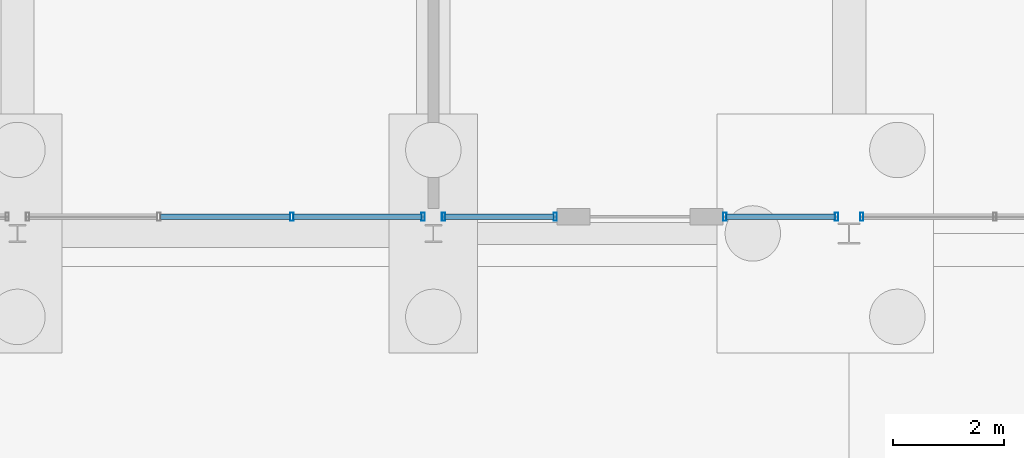
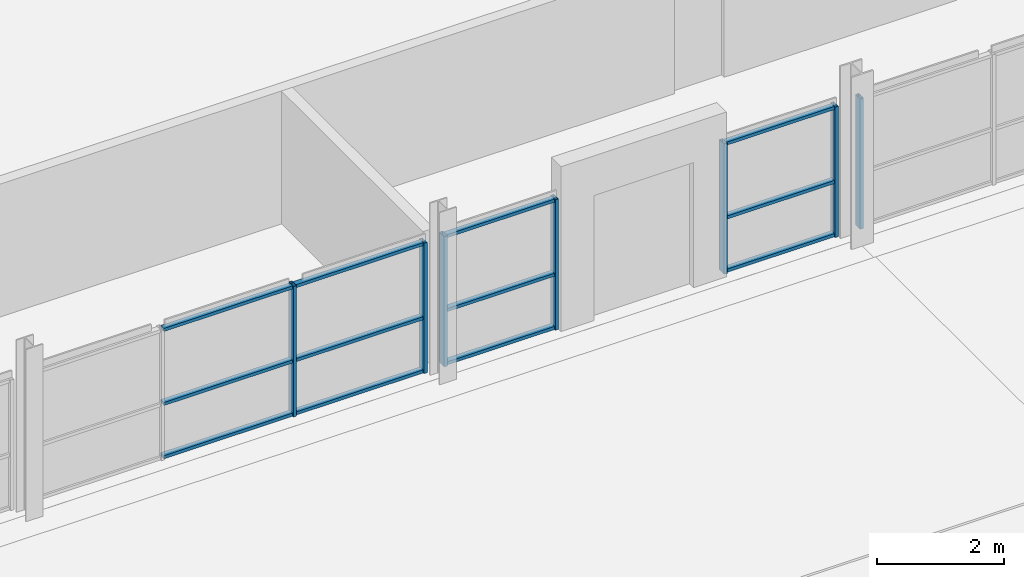
# One storey, part 53 of 130: 19 members, 4 elements without a shape of their own.
"""IFC4 building model written with IfcOpenShell, lengths in metres."""

from ifc_helpers import new_model, si_unit, direction, frame, origin, origin_2d, place, context, subcontext, project, spatial, hollow_rectangle, extrude, material, material_profile, profile_set, type_object, element, aggregate, save


model = new_model("IFC4")

# Units and contexts
model_context = context("Model", 3, precision=1e-05, world=origin(), true_north=direction((0.0, 1.0)))
body_context = subcontext(model_context, "Body", "Model", "MODEL_VIEW")
ifc_project = project(units=[si_unit("LENGTHUNIT", "METRE"), si_unit("AREAUNIT", "SQUARE_METRE"), si_unit("VOLUMEUNIT", "CUBIC_METRE"), si_unit("PLANEANGLEUNIT", "RADIAN"), si_unit("MASSUNIT", "GRAM", prefix="KILO")], contexts=[model_context])

# Site, building, storey
site_placement = place(None, origin())
site = spatial("IfcSite", under=ifc_project, at=site_placement, CompositionType="ELEMENT")
building_placement = place(site_placement, origin())
building = spatial("IfcBuilding", under=site, at=building_placement, Name="Parallax Yard Mobility Hub", CompositionType="ELEMENT")
storey_placement = place(building_placement, origin())
storey = spatial("IfcBuildingStorey", under=building, at=storey_placement, Name="L00", CompositionType="ELEMENT", Elevation=0.0)

# Curtain wall, members
ifc_material_1 = material(Name="Aluminium and glass curtain wall", Category="aluminium")
curtain_wall_type = type_object("IfcCurtainWallType", Name="Curtain wall, aluminium stick system", PredefinedType="NOTDEFINED", material=ifc_material_1)
curtain_wall_1_placement = place(storey_placement, origin())
curtain_wall_1 = element("IfcCurtainWall", 1, at=curtain_wall_1_placement, inside=storey, type_object=curtain_wall_type, Name="Curtain wall CW14 level L00 bay 10", PredefinedType="NOTDEFINED")
ifc_material_2 = material(Name="Aluminium 6063-T6 anodised", Category="aluminium")
ifc_material_profile_1 = material_profile(ifc_material_2, hollow_rectangle(XDim=0.14990234375, YDim=0.06005859375, WallThickness=0.00390625, at=origin_2d()), Name="RHS 60x150x4")
ifc_profile_set_1 = profile_set([ifc_material_profile_1], Name="Aluminium 6063-T6 anodised")
member_type_1 = type_object("IfcMemberType", Name="Curtain wall mullion RHS 60x150x4", PredefinedType="MULLION", material=ifc_profile_set_1)
member_1_placement = place(storey_placement, frame((109.94873046875, 112.800048828125, 0.0), z_axis=(0.0, 0.0, 1.0), x_axis=(0.0, 1.0, 0.0)))
member_1 = element("IfcMember", 2, at=member_1_placement, type_object=member_type_1, Name="CW14 mullion 3", PredefinedType="MULLION", context=body_context, shape_type="SweptSolid", body=[
    extrude(hollow_rectangle(XDim=0.14990234375, YDim=0.06005859375, WallThickness=0.00390625, at=origin_2d()), origin(), (0.0, 0.0, 1.0), 2.5),
])
member_2_placement = place(storey_placement, frame((112.31640625, 112.800048828125, 0.0), z_axis=(0.0, 0.0, 1.0), x_axis=(0.0, 1.0, 0.0)))
member_2 = element("IfcMember", 3, at=member_2_placement, type_object=member_type_1, Name="CW14 mullion 4", PredefinedType="MULLION", context=body_context, shape_type="SweptSolid", body=[
    extrude(hollow_rectangle(XDim=0.14990234375, YDim=0.06005859375, WallThickness=0.00390625, at=origin_2d()), origin(), (0.0, 0.0, 1.0), 2.5),
])

curtain_wall_2_placement = place(storey_placement, origin())
curtain_wall_2 = element("IfcCurtainWall", 4, at=curtain_wall_2_placement, inside=storey, type_object=curtain_wall_type, Name="Curtain wall CW15 level L00 bay 11", PredefinedType="NOTDEFINED")
member_3_placement = place(storey_placement, frame((112.68359375, 112.800048828125, 0.0), z_axis=(0.0, 0.0, 1.0), x_axis=(0.0, 1.0, 0.0)))
member_3 = element("IfcMember", 5, at=member_3_placement, type_object=member_type_1, Name="CW15 mullion 1", PredefinedType="MULLION", context=body_context, shape_type="SweptSolid", body=[
    extrude(hollow_rectangle(XDim=0.14990234375, YDim=0.06005859375, WallThickness=0.00390625, at=origin_2d()), origin(), (0.0, 0.0, 1.0), 2.5),
])
member_4_placement = place(storey_placement, frame((114.6982421875, 112.800048828125, 0.0), z_axis=(0.0, 0.0, 1.0), x_axis=(0.0, 1.0, 0.0)))
member_4 = element("IfcMember", 6, at=member_4_placement, type_object=member_type_1, Name="CW15 mullion 2", PredefinedType="MULLION", context=body_context, shape_type="SweptSolid", body=[
    extrude(hollow_rectangle(XDim=0.14990234375, YDim=0.06005859375, WallThickness=0.00390625, at=origin_2d()), origin(), (0.0, 0.0, 1.0), 2.5),
])

curtain_wall_3_placement = place(storey_placement, origin())
curtain_wall_3 = element("IfcCurtainWall", 7, at=curtain_wall_3_placement, inside=storey, type_object=curtain_wall_type, Name="Curtain wall CW16 level L00 bay 11", PredefinedType="NOTDEFINED")
member_5_placement = place(storey_placement, frame((117.75830078125, 112.800048828125, 0.0), z_axis=(0.0, 0.0, 1.0), x_axis=(0.0, 1.0, 0.0)))
member_5 = element("IfcMember", 8, at=member_5_placement, type_object=member_type_1, Name="CW16 mullion 1", PredefinedType="MULLION", context=body_context, shape_type="SweptSolid", body=[
    extrude(hollow_rectangle(XDim=0.14990234375, YDim=0.06005859375, WallThickness=0.00390625, at=origin_2d()), origin(), (0.0, 0.0, 1.0), 2.5),
])
member_6_placement = place(storey_placement, frame((119.77294921875, 112.800048828125, 0.0), z_axis=(0.0, 0.0, 1.0), x_axis=(0.0, 1.0, 0.0)))
member_6 = element("IfcMember", 9, at=member_6_placement, type_object=member_type_1, Name="CW16 mullion 2", PredefinedType="MULLION", context=body_context, shape_type="SweptSolid", body=[
    extrude(hollow_rectangle(XDim=0.14990234375, YDim=0.06005859375, WallThickness=0.00390625, at=origin_2d()), origin(), (0.0, 0.0, 1.0), 2.5),
])

# Curtain wall, member
curtain_wall_4_placement = place(storey_placement, origin())
curtain_wall_4 = element("IfcCurtainWall", 10, at=curtain_wall_4_placement, inside=storey, type_object=curtain_wall_type, Name="Curtain wall CW17 level L00 bay 12", PredefinedType="NOTDEFINED")
member_7_placement = place(storey_placement, frame((120.22705078125, 112.800048828125, 0.0), z_axis=(0.0, 0.0, 1.0), x_axis=(0.0, 1.0, 0.0)))
member_7 = element("IfcMember", 11, at=member_7_placement, type_object=member_type_1, Name="CW17 mullion 1", PredefinedType="MULLION", context=body_context, shape_type="SweptSolid", body=[
    extrude(hollow_rectangle(XDim=0.14990234375, YDim=0.06005859375, WallThickness=0.00390625, at=origin_2d()), origin(), (0.0, 0.0, 1.0), 2.5),
])
aggregate(curtain_wall_4, [member_7])

# Member
ifc_material_profile_2 = material_profile(ifc_material_2, hollow_rectangle(XDim=0.10009765625, YDim=0.06005859375, WallThickness=0.00390625, at=origin_2d()), Name="RHS 60x100x4")
ifc_profile_set_2 = profile_set([ifc_material_profile_2], Name="Aluminium 6063-T6 anodised")
member_type_2 = type_object("IfcMemberType", Name="Curtain wall transom RHS 60x100x4", PredefinedType="USERDEFINED", material=ifc_profile_set_2)
member_8_placement = place(storey_placement, frame((107.5810546875, 112.800048828125, 0.030029296875), z_axis=(1.0, 0.0, 0.0), x_axis=(0.0, 1.0, 0.0)))
member_8 = element("IfcMember", 12, at=member_8_placement, type_object=member_type_2, Name="CW14 transom 2.1", ObjectType="TRANSOM", PredefinedType="USERDEFINED", context=body_context, shape_type="SweptSolid", body=[
    extrude(hollow_rectangle(XDim=0.10009765625, YDim=0.06005859375, WallThickness=0.00390625, at=origin_2d()), origin(), (0.0, 0.0, 1.0), 2.337890625),
])

member_9_placement = place(storey_placement, frame((107.5810546875, 112.800048828125, 1.050048828125), z_axis=(1.0, 0.0, 0.0), x_axis=(0.0, 1.0, 0.0)))
member_9 = element("IfcMember", 13, at=member_9_placement, type_object=member_type_2, Name="CW14 transom 2.2", ObjectType="TRANSOM", PredefinedType="USERDEFINED", context=body_context, shape_type="SweptSolid", body=[
    extrude(hollow_rectangle(XDim=0.10009765625, YDim=0.06005859375, WallThickness=0.00390625, at=origin_2d()), origin(), (0.0, 0.0, 1.0), 2.337890625),
])

member_10_placement = place(storey_placement, frame((107.5810546875, 112.800048828125, 2.469970703125), z_axis=(1.0, 0.0, 0.0), x_axis=(0.0, 1.0, 0.0)))
member_10 = element("IfcMember", 14, at=member_10_placement, type_object=member_type_2, Name="CW14 transom 2.3", ObjectType="TRANSOM", PredefinedType="USERDEFINED", context=body_context, shape_type="SweptSolid", body=[
    extrude(hollow_rectangle(XDim=0.10009765625, YDim=0.06005859375, WallThickness=0.00390625, at=origin_2d()), origin(), (0.0, 0.0, 1.0), 2.337890625),
])

member_11_placement = place(storey_placement, frame((109.978759765625, 112.800048828125, 0.030029296875), z_axis=(1.0, 0.0, 0.0), x_axis=(0.0, 1.0, 0.0)))
member_11 = element("IfcMember", 15, at=member_11_placement, type_object=member_type_2, Name="CW14 transom 3.1", ObjectType="TRANSOM", PredefinedType="USERDEFINED", context=body_context, shape_type="SweptSolid", body=[
    extrude(hollow_rectangle(XDim=0.10009765625, YDim=0.06005859375, WallThickness=0.00390625, at=origin_2d()), origin(), (0.0, 0.0, 1.0), 2.307861328125),
])

member_12_placement = place(storey_placement, frame((109.978759765625, 112.800048828125, 1.050048828125), z_axis=(1.0, 0.0, 0.0), x_axis=(0.0, 1.0, 0.0)))
member_12 = element("IfcMember", 16, at=member_12_placement, type_object=member_type_2, Name="CW14 transom 3.2", ObjectType="TRANSOM", PredefinedType="USERDEFINED", context=body_context, shape_type="SweptSolid", body=[
    extrude(hollow_rectangle(XDim=0.10009765625, YDim=0.06005859375, WallThickness=0.00390625, at=origin_2d()), origin(), (0.0, 0.0, 1.0), 2.307861328125),
])

member_13_placement = place(storey_placement, frame((109.978759765625, 112.800048828125, 2.469970703125), z_axis=(1.0, 0.0, 0.0), x_axis=(0.0, 1.0, 0.0)))
member_13 = element("IfcMember", 17, at=member_13_placement, type_object=member_type_2, Name="CW14 transom 3.3", ObjectType="TRANSOM", PredefinedType="USERDEFINED", context=body_context, shape_type="SweptSolid", body=[
    extrude(hollow_rectangle(XDim=0.10009765625, YDim=0.06005859375, WallThickness=0.00390625, at=origin_2d()), origin(), (0.0, 0.0, 1.0), 2.307861328125),
])

aggregate(curtain_wall_1, [member_1, member_2, member_8, member_9, member_10, member_11, member_12, member_13])

member_14_placement = place(storey_placement, frame((112.71337890625, 112.800048828125, 0.030029296875), z_axis=(1.0, 0.0, 0.0), x_axis=(0.0, 1.0, 0.0)))
member_14 = element("IfcMember", 18, at=member_14_placement, type_object=member_type_2, Name="CW15 transom 1.1", ObjectType="TRANSOM", PredefinedType="USERDEFINED", context=body_context, shape_type="SweptSolid", body=[
    extrude(hollow_rectangle(XDim=0.10009765625, YDim=0.06005859375, WallThickness=0.00390625, at=origin_2d()), origin(), (0.0, 0.0, 1.0), 1.954833984375),
])

member_15_placement = place(storey_placement, frame((112.71337890625, 112.800048828125, 1.050048828125), z_axis=(1.0, 0.0, 0.0), x_axis=(0.0, 1.0, 0.0)))
member_15 = element("IfcMember", 19, at=member_15_placement, type_object=member_type_2, Name="CW15 transom 1.2", ObjectType="TRANSOM", PredefinedType="USERDEFINED", context=body_context, shape_type="SweptSolid", body=[
    extrude(hollow_rectangle(XDim=0.10009765625, YDim=0.06005859375, WallThickness=0.00390625, at=origin_2d()), origin(), (0.0, 0.0, 1.0), 1.954833984375),
])

member_16_placement = place(storey_placement, frame((112.71337890625, 112.800048828125, 2.469970703125), z_axis=(1.0, 0.0, 0.0), x_axis=(0.0, 1.0, 0.0)))
member_16 = element("IfcMember", 20, at=member_16_placement, type_object=member_type_2, Name="CW15 transom 1.3", ObjectType="TRANSOM", PredefinedType="USERDEFINED", context=body_context, shape_type="SweptSolid", body=[
    extrude(hollow_rectangle(XDim=0.10009765625, YDim=0.06005859375, WallThickness=0.00390625, at=origin_2d()), origin(), (0.0, 0.0, 1.0), 1.954833984375),
])

aggregate(curtain_wall_2, [member_3, member_4, member_14, member_15, member_16])

member_17_placement = place(storey_placement, frame((117.788330078125, 112.800048828125, 0.030029296875), z_axis=(1.0, 0.0, 0.0), x_axis=(0.0, 1.0, 0.0)))
member_17 = element("IfcMember", 21, at=member_17_placement, type_object=member_type_2, Name="CW16 transom 1.1", ObjectType="TRANSOM", PredefinedType="USERDEFINED", context=body_context, shape_type="SweptSolid", body=[
    extrude(hollow_rectangle(XDim=0.10009765625, YDim=0.06005859375, WallThickness=0.00390625, at=origin_2d()), origin(), (0.0, 0.0, 1.0), 1.95458984375),
])

member_18_placement = place(storey_placement, frame((117.788330078125, 112.800048828125, 1.050048828125), z_axis=(1.0, 0.0, 0.0), x_axis=(0.0, 1.0, 0.0)))
member_18 = element("IfcMember", 22, at=member_18_placement, type_object=member_type_2, Name="CW16 transom 1.2", ObjectType="TRANSOM", PredefinedType="USERDEFINED", context=body_context, shape_type="SweptSolid", body=[
    extrude(hollow_rectangle(XDim=0.10009765625, YDim=0.06005859375, WallThickness=0.00390625, at=origin_2d()), origin(), (0.0, 0.0, 1.0), 1.95458984375),
])

member_19_placement = place(storey_placement, frame((117.788330078125, 112.800048828125, 2.469970703125), z_axis=(1.0, 0.0, 0.0), x_axis=(0.0, 1.0, 0.0)))
member_19 = element("IfcMember", 23, at=member_19_placement, type_object=member_type_2, Name="CW16 transom 1.3", ObjectType="TRANSOM", PredefinedType="USERDEFINED", context=body_context, shape_type="SweptSolid", body=[
    extrude(hollow_rectangle(XDim=0.10009765625, YDim=0.06005859375, WallThickness=0.00390625, at=origin_2d()), origin(), (0.0, 0.0, 1.0), 1.95458984375),
])

aggregate(curtain_wall_3, [member_5, member_6, member_17, member_18, member_19])

save(model, "model.ifc")
